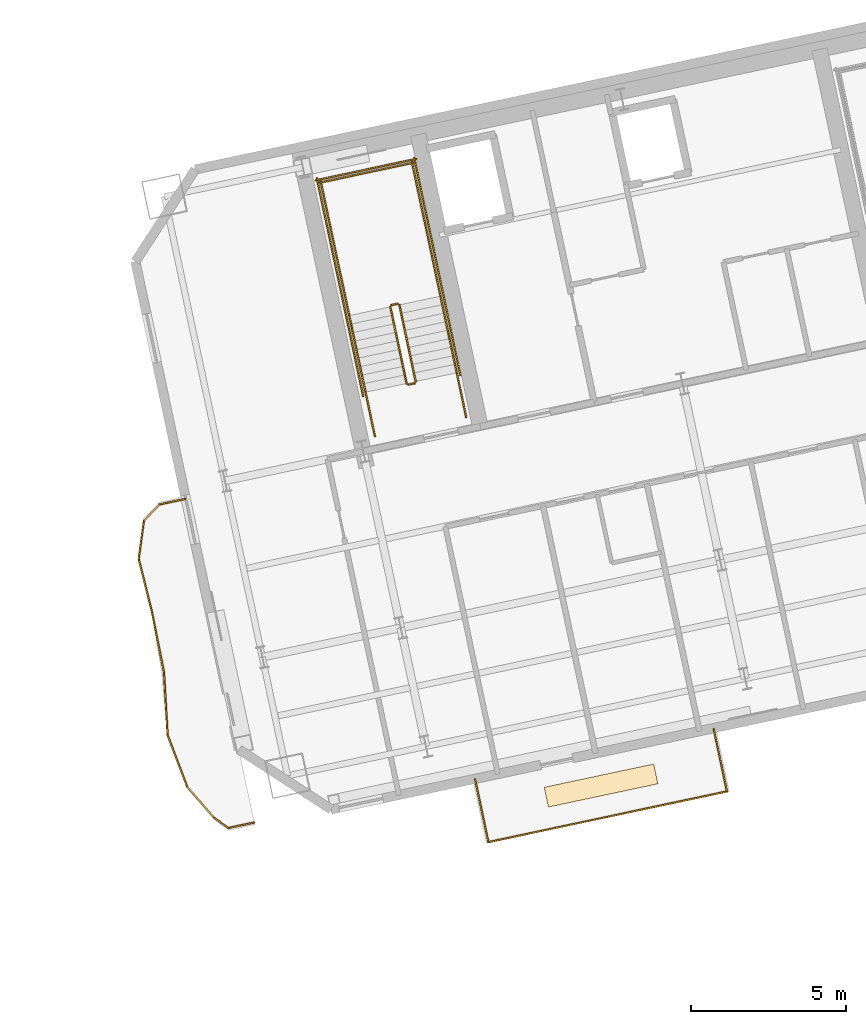
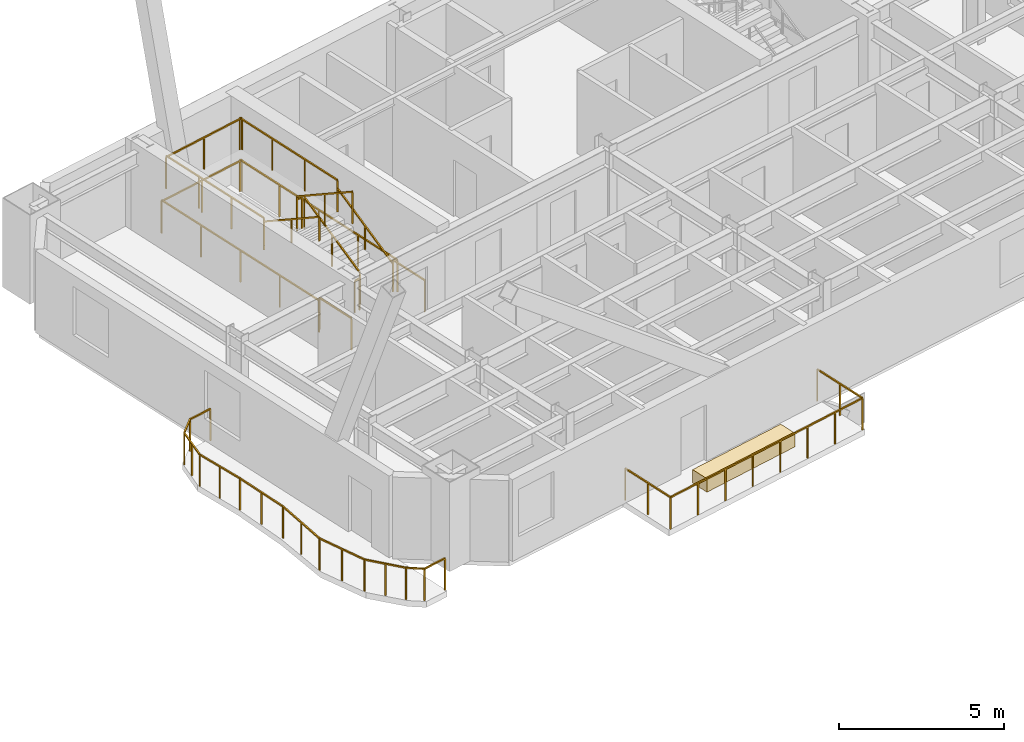
# One storey, part 12 of 13: 27 railings, 1 covering.
"""IFC4 building model written with IfcOpenShell, lengths in metres."""

import ifcopenshell
import ifcopenshell.guid

model = None  # the IFC model being written
_history = None  # IfcOwnerHistory: only IFC2X3 demands one
_inside = {}  # id of a spatial element -> (the spatial element, [elements in it])
_under = {}  # id of a project, library or spatial element -> (it, [spatial elements below it])
_declared = {}  # id of a project -> (the project, [libraries it declares])
_typed = {}  # id of a type object -> (the type object, [elements of that type])
_made_of = {}  # id of a material, layer set ... -> (it, [elements and type objects made of it])


def new_model(schema):
    """Start an empty IFC model of exactly this schema.

    Asked for "IFC4X3", IfcOpenShell would pick the latest addendum, in which some entities
    have other attributes; the version numbers below select the first issue.
    IFC2X3 requires an IfcOwnerHistory on every rooted entity: one is made here for all.
    """
    global model, _history
    if schema == "IFC4X3":
        model = ifcopenshell.file(schema_version=(4, 3, 0, 0))
    else:
        model = ifcopenshell.file(schema=schema)
    _inside.clear()
    _under.clear()
    _declared.clear()
    _typed.clear()
    _made_of.clear()
    _history = None
    if model.schema == "IFC2X3":
        org = make("IfcOrganization", Name="unknown")
        user = make(
            "IfcPersonAndOrganization",
            ThePerson=make("IfcPerson", FamilyName="unknown"),
            TheOrganization=org,
        )
        app = make(
            "IfcApplication",
            ApplicationDeveloper=org,
            Version="unknown",
            ApplicationFullName="unknown",
            ApplicationIdentifier="unknown",
        )
        _history = make(
            "IfcOwnerHistory",
            OwningUser=user,
            OwningApplication=app,
            ChangeAction="ADDED",
            CreationDate=0,
        )
    return model


def make(cls, **values):
    """One entity of the class cls with the attributes given. An attribute that is None is left unset."""
    return model.create_entity(
        cls, **{name: value for name, value in values.items() if value is not None}
    )


def rooted(cls, **values):
    """An entity with a GlobalId (a new one), such as an element, a storey or a relation."""
    return make(cls, GlobalId=ifcopenshell.guid.new(), OwnerHistory=_history, **values)


def si_unit(unit_type, name, prefix=None):
    """IfcSIUnit, for example si_unit("LENGTHUNIT", "METRE", prefix="MILLI")."""
    return make("IfcSIUnit", UnitType=unit_type, Prefix=prefix, Name=name)


def assignment(units):
    """IfcUnitAssignment: the units of a project."""
    return None if units is None else make("IfcUnitAssignment", Units=units)


def point(xyz):
    """IfcCartesianPoint."""
    return None if xyz is None else make("IfcCartesianPoint", Coordinates=xyz)


def direction(xyz):
    """IfcDirection."""
    return None if xyz is None else make("IfcDirection", DirectionRatios=xyz)


def frame(location, z_axis=None, x_axis=None):
    """IfcAxis2Placement3D, a coordinate frame: its origin and axes. An axis left out is left unset."""
    return make(
        "IfcAxis2Placement3D",
        Location=point(location),
        Axis=direction(z_axis),
        RefDirection=direction(x_axis),
    )


def frame_2d(location, x_axis=None):
    """IfcAxis2Placement2D, a coordinate frame in the plane: its origin and x axis."""
    return make(
        "IfcAxis2Placement2D", Location=point(location), RefDirection=direction(x_axis)
    )


def origin():
    """The frame at (0, 0, 0) with its axes left unset."""
    return frame((0.0, 0.0, 0.0))


def origin_2d():
    """The frame at (0, 0) in the plane with its x axis left unset."""
    return frame_2d((0.0, 0.0))


def place(relative_to, where):
    """IfcLocalPlacement: puts the frame where relative to a parent placement (None: the world)."""
    return make(
        "IfcLocalPlacement", PlacementRelTo=relative_to, RelativePlacement=where
    )


def context(
    kind, dimensions, precision=None, world=None, true_north=None, identifier=None
):
    """IfcGeometricRepresentationContext, for example the 3D "Model" context."""
    return make(
        "IfcGeometricRepresentationContext",
        ContextIdentifier=identifier,
        ContextType=kind,
        CoordinateSpaceDimension=dimensions,
        Precision=precision,
        WorldCoordinateSystem=world,
        TrueNorth=true_north,
    )


def subcontext(parent, identifier, kind, view, scale=None):
    """IfcGeometricRepresentationSubContext, for example "Body" below "Model"."""
    return make(
        "IfcGeometricRepresentationSubContext",
        ContextIdentifier=identifier,
        ContextType=kind,
        ParentContext=parent,
        TargetScale=scale,
        TargetView=view,
    )


def project(units=None, contexts=None):
    """IfcProject with its units and contexts."""
    return rooted(
        "IfcProject",
        Name="project",
        RepresentationContexts=contexts,
        UnitsInContext=assignment(units),
    )


def spatial(cls, under=None, at=None, **own):
    """A site, building, storey or space (cls), placed at a placement, below another one or the project."""
    s = rooted(cls, ObjectPlacement=at, **own)
    if under is not None:
        _under.setdefault(under.id(), (under, []))[1].append(s)
    return s


def profile(cls, at=None, kind="AREA", **sizes):
    """A parametric profile (cls). Its sizes go by their IFC names, for example OverallWidth=200.0."""
    return make(cls, ProfileType=kind, Position=at, **sizes)


def rectangle(**sizes):
    """IfcRectangleProfileDef."""
    return profile("IfcRectangleProfileDef", **sizes)


def extrude(swept, where, along, depth):
    """IfcExtrudedAreaSolid: the profile swept, set in the frame where, extruded along a direction by depth."""
    return make(
        "IfcExtrudedAreaSolid",
        SweptArea=swept,
        Position=where,
        ExtrudedDirection=direction(along),
        Depth=depth,
    )


def shape(context_of_items, identifier, shape_type, items):
    """IfcShapeRepresentation: the items that make up one representation, for example the "Body"."""
    return make(
        "IfcShapeRepresentation",
        ContextOfItems=context_of_items,
        RepresentationIdentifier=identifier,
        RepresentationType=shape_type,
        Items=items,
    )


def material(Name=None, Category=None):
    """IfcMaterial."""
    return make("IfcMaterial", Name=Name, Category=Category)


def layer(
    of_material, thickness, ventilated=None, Name=None, Category=None, Priority=None
):
    """IfcMaterialLayer: one layer of a wall or slab, of a material (None: an air gap)."""
    return make(
        "IfcMaterialLayer",
        Material=of_material,
        LayerThickness=thickness,
        IsVentilated=ventilated,
        Name=Name,
        Category=Category,
        Priority=Priority,
    )


def layer_set(layers, Name=None):
    """IfcMaterialLayerSet."""
    return make("IfcMaterialLayerSet", MaterialLayers=layers, LayerSetName=Name)


def made_of(thing, what):
    """Note that an element or type object is made of a material, layer set ...; save() writes the relation."""
    if what is not None:
        _made_of.setdefault(what.id(), (what, []))[1].append(thing)
    return thing


def type_object(cls, material=None, **own):
    """A type object (cls), such as IfcWallType, which elements share."""
    return made_of(rooted(cls, **own), material)


def element(
    cls,
    number,
    at=None,
    inside=None,
    cuts=None,
    type_object=None,
    material=None,
    context=None,
    identifier="Body",
    shape_type=None,
    held_by="IfcProductDefinitionShape",
    body=None,
    shapes=None,
    **own,
):
    """One element of the class cls, such as IfcWall. Its Tag is "e" and its number.

    at: its placement. inside: the storey or other place that contains it. cuts: it is an
    opening in that element (IfcRelVoidsElement). A single representation is given by context,
    identifier, shape_type and body (its items); several are given by shapes. held_by: the class
    of the entity that holds the representations. save() writes the other relations.
    """
    e = rooted(cls, Tag="e%d" % number, ObjectPlacement=at, **own)
    if body is not None:
        shapes = [shape(context, identifier, shape_type, body)]
    if shapes is not None:
        e.Representation = make(held_by, Representations=shapes)
    if inside is not None:
        _inside.setdefault(inside.id(), (inside, []))[1].append(e)
    if cuts is not None:
        rooted(
            "IfcRelVoidsElement", RelatingBuildingElement=cuts, RelatedOpeningElement=e
        )
    if type_object is not None:
        _typed.setdefault(type_object.id(), (type_object, []))[1].append(e)
    return made_of(e, material)


def aggregate(whole, parts):
    """IfcRelAggregates: a whole, such as a stair, and the parts it consists of."""
    return rooted("IfcRelAggregates", RelatingObject=whole, RelatedObjects=parts)


def save(model, path):
    """Write the relations noted so far, then the file.

    IfcRelAggregates (storeys below a building ...), IfcRelContainedInSpatialStructure (elements
    in a storey), IfcRelDefinesByType, IfcRelAssociatesMaterial and IfcRelDeclares: one each for
    every whole, place, type object, material and project.
    """
    for whole, parts in _under.values():
        aggregate(whole, parts)
    for where, things in _inside.values():
        rooted(
            "IfcRelContainedInSpatialStructure",
            RelatedElements=things,
            RelatingStructure=where,
        )
    for kind, things in _typed.values():
        rooted("IfcRelDefinesByType", RelatedObjects=things, RelatingType=kind)
    for what, things in _made_of.values():
        rooted("IfcRelAssociatesMaterial", RelatedObjects=things, RelatingMaterial=what)
    for by, libraries in _declared.values():
        rooted("IfcRelDeclares", RelatingContext=by, RelatedDefinitions=libraries)
    model.write(path)


model = new_model("IFC4")

# Units and contexts
model_context = context("Model", 3, precision=1e-05, world=origin(), true_north=direction((0.0, 1.0)))
body_context = subcontext(model_context, "Body", "Model", "MODEL_VIEW")
ifc_project = project(units=[si_unit("LENGTHUNIT", "METRE"), si_unit("AREAUNIT", "SQUARE_METRE"), si_unit("VOLUMEUNIT", "CUBIC_METRE"), si_unit("PLANEANGLEUNIT", "RADIAN"), si_unit("MASSUNIT", "GRAM", prefix="KILO")], contexts=[model_context])

# Site, building, storey
site_placement = place(None, origin())
site = spatial("IfcSite", under=ifc_project, at=site_placement, CompositionType="ELEMENT")
building_placement = place(site_placement, origin())
building = spatial("IfcBuilding", under=site, at=building_placement, Name="Haevon Station Towers", CompositionType="ELEMENT")
storey_placement = place(building_placement, frame((0.0, 0.0, 146.10009765625)))
storey = spatial("IfcBuildingStorey", under=building, at=storey_placement, Name="L39", CompositionType="ELEMENT", Elevation=146.10009765625)

# Railings
ifc_material_1 = material(Name="Steel S355", Category="steel")
railing_type_1 = type_object("IfcRailingType", Name="GRD-EXT1200", PredefinedType="GUARDRAIL", material=ifc_material_1)
railing_1_placement = place(storey_placement, frame((93.021240234375, 35.91455078125, 0.0)))
element("IfcRailing", 1, at=railing_1_placement, inside=storey, type_object=railing_type_1, Name="L39 Perimeter Guardrail 1", PredefinedType="GUARDRAIL", context=body_context, shape_type="SweptSolid", body=[
    extrude(rectangle(XDim=0.048095703125, YDim=0.048095703125, at=origin_2d()), frame((0.0, 0.0, 1.17578125), z_axis=(-0.977678572445, -0.210106185017, 0.0), x_axis=(0.210106185017, -0.977678572445, 0.0)), (0.0, 0.0, 1.0), 0.837890625),
    extrude(rectangle(XDim=0.0419921875, YDim=0.0419921875, at=origin_2d()), origin(), (0.0, 0.0, 1.0), 1.15185546875),
    extrude(rectangle(XDim=0.0419921875, YDim=0.0419921875, at=origin_2d()), frame((-0.819091796875, -0.176025390625, 0.0)), (0.0, 0.0, 1.0), 1.15185546875),
])
railing_2_placement = place(storey_placement, frame((92.2021484375, 35.738525390625, 0.0)))
element("IfcRailing", 2, at=railing_2_placement, inside=storey, type_object=railing_type_1, Name="L39 Perimeter Guardrail 2", PredefinedType="GUARDRAIL", context=body_context, shape_type="SweptSolid", body=[
    extrude(rectangle(XDim=0.048095703125, YDim=0.048095703125, at=origin_2d()), frame((0.0, 0.0, 1.17578125), z_axis=(-0.691571499126, -0.722308010198, 0.0), x_axis=(0.722308010198, -0.691571499126, 0.0)), (0.0, 0.0, 1.0), 0.730712890625),
    extrude(rectangle(XDim=0.0419921875, YDim=0.0419921875, at=origin_2d()), origin(), (0.0, 0.0, 1.0), 1.15185546875),
    extrude(rectangle(XDim=0.0419921875, YDim=0.0419921875, at=origin_2d()), frame((-0.50537109375, -0.52783203125, 0.0)), (0.0, 0.0, 1.0), 1.15185546875),
])
railing_3_placement = place(storey_placement, frame((91.69677734375, 35.210693359375, 0.0)))
element("IfcRailing", 3, at=railing_3_placement, inside=storey, type_object=railing_type_1, Name="L39 Perimeter Guardrail 3", PredefinedType="GUARDRAIL", context=body_context, shape_type="SweptSolid", body=[
    extrude(rectangle(XDim=0.048095703125, YDim=0.048095703125, at=origin_2d()), frame((0.0, 0.0, 1.17578125), z_axis=(-0.134402916538, -0.990926766228, 0.0), x_axis=(0.990926766228, -0.134402916538, 0.0)), (0.0, 0.0, 1.0), 1.242431640625),
    extrude(rectangle(XDim=0.0419921875, YDim=0.0419921875, at=origin_2d()), origin(), (0.0, 0.0, 1.0), 1.15185546875),
    extrude(rectangle(XDim=0.0419921875, YDim=0.0419921875, at=origin_2d()), frame((-0.08349609375, -0.61572265625, 0.0)), (0.0, 0.0, 1.0), 1.15185546875),
    extrude(rectangle(XDim=0.0419921875, YDim=0.0419921875, at=origin_2d()), frame((-0.1669921875, -1.231201171875, 0.0)), (0.0, 0.0, 1.0), 1.15185546875),
])
railing_4_placement = place(storey_placement, frame((91.52978515625, 33.9794921875, 0.0)))
element("IfcRailing", 4, at=railing_4_placement, inside=storey, type_object=railing_type_1, Name="L39 Perimeter Guardrail 4", PredefinedType="GUARDRAIL", context=body_context, shape_type="SweptSolid", body=[
    extrude(rectangle(XDim=0.048095703125, YDim=0.048095703125, at=origin_2d()), frame((0.0, 0.0, 1.17578125), z_axis=(0.243814635362, -0.969821851467, 0.0), x_axis=(0.969821851467, 0.243814635362, 0.0)), (0.0, 0.0, 1.0), 1.751220703125),
    extrude(rectangle(XDim=0.0419921875, YDim=0.0419921875, at=origin_2d()), origin(), (0.0, 0.0, 1.0), 1.15185546875),
    extrude(rectangle(XDim=0.0419921875, YDim=0.0419921875, at=origin_2d()), frame((0.21337890625, -0.84912109375, 0.0)), (0.0, 0.0, 1.0), 1.15185546875),
    extrude(rectangle(XDim=0.0419921875, YDim=0.0419921875, at=origin_2d()), frame((0.427001953125, -1.698486328125, 0.0)), (0.0, 0.0, 1.0), 1.15185546875),
])
railing_5_placement = place(storey_placement, frame((91.956787109375, 32.281005859375, 0.0)))
element("IfcRailing", 5, at=railing_5_placement, inside=storey, type_object=railing_type_1, Name="L39 Perimeter Guardrail 5", PredefinedType="GUARDRAIL", context=body_context, shape_type="SweptSolid", body=[
    extrude(rectangle(XDim=0.048095703125, YDim=0.048095703125, at=origin_2d()), frame((0.0, 0.0, 1.17578125), z_axis=(0.195360913035, -0.980731417697, 0.0), x_axis=(0.980731417697, 0.195360913035, 0.0)), (0.0, 0.0, 1.0), 1.989501953125),
    extrude(rectangle(XDim=0.0419921875, YDim=0.0419921875, at=origin_2d()), origin(), (0.0, 0.0, 1.0), 1.15185546875),
    extrude(rectangle(XDim=0.0419921875, YDim=0.0419921875, at=origin_2d()), frame((0.1943359375, -0.9755859375, 0.0)), (0.0, 0.0, 1.0), 1.15185546875),
    extrude(rectangle(XDim=0.0419921875, YDim=0.0419921875, at=origin_2d()), frame((0.388671875, -1.951171875, 0.0)), (0.0, 0.0, 1.0), 1.15185546875),
])
railing_6_placement = place(storey_placement, frame((92.345458984375, 30.329833984375, 0.0)))
element("IfcRailing", 6, at=railing_6_placement, inside=storey, type_object=railing_type_1, Name="L39 Perimeter Guardrail 6", PredefinedType="GUARDRAIL", context=body_context, shape_type="SweptSolid", body=[
    extrude(rectangle(XDim=0.048095703125, YDim=0.048095703125, at=origin_2d()), frame((0.0, 0.0, 1.17578125), z_axis=(0.056904973514, -0.998379599145, 0.0), x_axis=(0.998379599145, 0.056904973514, 0.0)), (0.0, 0.0, 1.0), 2.016357421875),
    extrude(rectangle(XDim=0.0419921875, YDim=0.0419921875, at=origin_2d()), origin(), (0.0, 0.0, 1.0), 1.15185546875),
    extrude(rectangle(XDim=0.0419921875, YDim=0.0419921875, at=origin_2d()), frame((0.057373046875, -1.006591796875, 0.0)), (0.0, 0.0, 1.0), 1.15185546875),
    extrude(rectangle(XDim=0.0419921875, YDim=0.0419921875, at=origin_2d()), frame((0.11474609375, -2.01318359375, 0.0)), (0.0, 0.0, 1.0), 1.15185546875),
])
railing_7_placement = place(storey_placement, frame((92.460205078125, 28.316650390625, 0.0)))
element("IfcRailing", 7, at=railing_7_placement, inside=storey, type_object=railing_type_1, Name="L39 Perimeter Guardrail 7", PredefinedType="GUARDRAIL", context=body_context, shape_type="SweptSolid", body=[
    extrude(rectangle(XDim=0.048095703125, YDim=0.048095703125, at=origin_2d()), frame((0.0, 0.0, 1.17578125), z_axis=(0.353500001833, -0.935434524007, 0.0), x_axis=(0.935434524007, 0.353500001833, 0.0)), (0.0, 0.0, 1.0), 1.7666015625),
    extrude(rectangle(XDim=0.0419921875, YDim=0.0419921875, at=origin_2d()), origin(), (0.0, 0.0, 1.0), 1.15185546875),
    extrude(rectangle(XDim=0.0419921875, YDim=0.0419921875, at=origin_2d()), frame((0.312255859375, -0.826171875, 0.0)), (0.0, 0.0, 1.0), 1.15185546875),
    extrude(rectangle(XDim=0.0419921875, YDim=0.0419921875, at=origin_2d()), frame((0.62451171875, -1.652587890625, 0.0)), (0.0, 0.0, 1.0), 1.15185546875),
])
railing_8_placement = place(storey_placement, frame((93.084716796875, 26.6640625, 0.0)))
element("IfcRailing", 8, at=railing_8_placement, inside=storey, type_object=railing_type_1, Name="L39 Perimeter Guardrail 8", PredefinedType="GUARDRAIL", context=body_context, shape_type="SweptSolid", body=[
    extrude(rectangle(XDim=0.048095703125, YDim=0.048095703125, at=origin_2d()), frame((0.0, 0.0, 1.17578125), z_axis=(0.654965324593, -0.755658933369, 0.0), x_axis=(0.755658933369, 0.654965324593, 0.0)), (0.0, 0.0, 1.0), 1.3359375),
    extrude(rectangle(XDim=0.0419921875, YDim=0.0419921875, at=origin_2d()), origin(), (0.0, 0.0, 1.0), 1.15185546875),
    extrude(rectangle(XDim=0.0419921875, YDim=0.0419921875, at=origin_2d()), frame((0.4375, -0.5048828125, 0.0)), (0.0, 0.0, 1.0), 1.15185546875),
    extrude(rectangle(XDim=0.0419921875, YDim=0.0419921875, at=origin_2d()), frame((0.875, -1.009521484375, 0.0)), (0.0, 0.0, 1.0), 1.15185546875),
])
railing_9_placement = place(storey_placement, frame((93.959716796875, 25.654541015625, 0.0)))
element("IfcRailing", 9, at=railing_9_placement, inside=storey, type_object=railing_type_1, Name="L39 Perimeter Guardrail 9", PredefinedType="GUARDRAIL", context=body_context, shape_type="SweptSolid", body=[
    extrude(rectangle(XDim=0.048095703125, YDim=0.048095703125, at=origin_2d()), frame((0.0, 0.0, 1.17578125), z_axis=(0.814353577604, -0.580369064168, 0.0), x_axis=(0.580369064168, 0.814353577604, 0.0)), (0.0, 0.0, 1.0), 0.55810546875),
    extrude(rectangle(XDim=0.0419921875, YDim=0.0419921875, at=origin_2d()), origin(), (0.0, 0.0, 1.0), 1.15185546875),
    extrude(rectangle(XDim=0.0419921875, YDim=0.0419921875, at=origin_2d()), frame((0.45458984375, -0.323974609375, 0.0)), (0.0, 0.0, 1.0), 1.15185546875),
])
railing_10_placement = place(storey_placement, frame((94.414306640625, 25.33056640625, 0.0)))
element("IfcRailing", 10, at=railing_10_placement, inside=storey, type_object=railing_type_1, Name="L39 Perimeter Guardrail 10", PredefinedType="GUARDRAIL", context=body_context, shape_type="SweptSolid", body=[
    extrude(rectangle(XDim=0.048095703125, YDim=0.048095703125, at=origin_2d()), frame((0.0, 0.0, 1.17578125), z_axis=(0.978617737227, 0.20568744343, 0.0), x_axis=(-0.20568744343, 0.978617737227, 0.0)), (0.0, 0.0, 1.0), 0.837890625),
    extrude(rectangle(XDim=0.0419921875, YDim=0.0419921875, at=origin_2d()), origin(), (0.0, 0.0, 1.0), 1.15185546875),
    extrude(rectangle(XDim=0.0419921875, YDim=0.0419921875, at=origin_2d()), frame((0.820068359375, 0.17236328125, 0.0)), (0.0, 0.0, 1.0), 1.15185546875),
])
railing_11_placement = place(storey_placement, frame((102.780517578125, 24.87548828125, 0.0)))
element("IfcRailing", 11, at=railing_11_placement, inside=storey, type_object=railing_type_1, Name="L39 Perimeter Guardrail 1", PredefinedType="GUARDRAIL", context=body_context, shape_type="SweptSolid", body=[
    extrude(rectangle(XDim=0.048095703125, YDim=0.048095703125, at=origin_2d()), frame((0.0, 0.0, 1.17578125), z_axis=(0.978148093399, 0.207909372996, 0.0), x_axis=(-0.207909372996, 0.978148093399, 0.0)), (0.0, 0.0, 1.0), 7.84521484375),
    extrude(rectangle(XDim=0.0419921875, YDim=0.0419921875, at=origin_2d()), origin(), (0.0, 0.0, 1.0), 1.15185546875),
    extrude(rectangle(XDim=0.0419921875, YDim=0.0419921875, at=origin_2d()), frame((1.09619140625, 0.23291015625, 0.0)), (0.0, 0.0, 1.0), 1.15185546875),
    extrude(rectangle(XDim=0.0419921875, YDim=0.0419921875, at=origin_2d()), frame((2.192626953125, 0.466064453125, 0.0)), (0.0, 0.0, 1.0), 1.15185546875),
    extrude(rectangle(XDim=0.0419921875, YDim=0.0419921875, at=origin_2d()), frame((3.288818359375, 0.698974609375, 0.0)), (0.0, 0.0, 1.0), 1.15185546875),
    extrude(rectangle(XDim=0.0419921875, YDim=0.0419921875, at=origin_2d()), frame((4.385009765625, 0.93212890625, 0.0)), (0.0, 0.0, 1.0), 1.15185546875),
    extrude(rectangle(XDim=0.0419921875, YDim=0.0419921875, at=origin_2d()), frame((5.481201171875, 1.1650390625, 0.0)), (0.0, 0.0, 1.0), 1.15185546875),
    extrude(rectangle(XDim=0.0419921875, YDim=0.0419921875, at=origin_2d()), frame((6.57763671875, 1.398193359375, 0.0)), (0.0, 0.0, 1.0), 1.15185546875),
    extrude(rectangle(XDim=0.0419921875, YDim=0.0419921875, at=origin_2d()), frame((7.673828125, 1.631103515625, 0.0)), (0.0, 0.0, 1.0), 1.15185546875),
])
railing_12_placement = place(storey_placement, frame((110.454345703125, 26.506591796875, 0.0)))
element("IfcRailing", 12, at=railing_12_placement, inside=storey, type_object=railing_type_1, Name="L39 Perimeter Guardrail 2", PredefinedType="GUARDRAIL", context=body_context, shape_type="SweptSolid", body=[
    extrude(rectangle(XDim=0.048095703125, YDim=0.048095703125, at=origin_2d()), frame((0.0, 0.0, 1.17578125), z_axis=(-0.207938336855, 0.978141936564, 0.0), x_axis=(-0.978141936564, -0.207938336855, 0.0)), (0.0, 0.0, 1.0), 2.0546875),
    extrude(rectangle(XDim=0.0419921875, YDim=0.0419921875, at=origin_2d()), origin(), (0.0, 0.0, 1.0), 1.15185546875),
    extrude(rectangle(XDim=0.0419921875, YDim=0.0419921875, at=origin_2d()), frame((-0.213623046875, 1.0048828125, 0.0)), (0.0, 0.0, 1.0), 1.15185546875),
    extrude(rectangle(XDim=0.0419921875, YDim=0.0419921875, at=origin_2d()), frame((-0.42724609375, 2.009765625, 0.0)), (0.0, 0.0, 1.0), 1.15185546875),
])
railing_13_placement = place(storey_placement, frame((102.353515625, 26.88525390625, 0.0)))
element("IfcRailing", 13, at=railing_13_placement, inside=storey, type_object=railing_type_1, Name="L39 Perimeter Guardrail 3", PredefinedType="GUARDRAIL", context=body_context, shape_type="SweptSolid", body=[
    extrude(rectangle(XDim=0.048095703125, YDim=0.048095703125, at=origin_2d()), frame((0.0, 0.0, 1.17578125), z_axis=(0.207824648399, -0.978166098123, 0.0), x_axis=(0.978166098123, 0.207824648399, 0.0)), (0.0, 0.0, 1.0), 2.0546875),
    extrude(rectangle(XDim=0.0419921875, YDim=0.0419921875, at=origin_2d()), origin(), (0.0, 0.0, 1.0), 1.15185546875),
    extrude(rectangle(XDim=0.0419921875, YDim=0.0419921875, at=origin_2d()), frame((0.21337890625, -1.0048828125, 0.0)), (0.0, 0.0, 1.0), 1.15185546875),
    extrude(rectangle(XDim=0.0419921875, YDim=0.0419921875, at=origin_2d()), frame((0.427001953125, -2.009765625, 0.0)), (0.0, 0.0, 1.0), 1.15185546875),
])
railing_type_2 = type_object("IfcRailingType", Name="GRD-STR1200", PredefinedType="GUARDRAIL", material=ifc_material_1)
railing_14_placement = place(storey_placement, frame((100.44140625, 39.69287109375, 0.164794921875)))
element("IfcRailing", 14, at=railing_14_placement, inside=storey, type_object=railing_type_2, Name="L39 ST3 Stair Guard 1", PredefinedType="GUARDRAIL", context=body_context, shape_type="SweptSolid", body=[
    extrude(rectangle(XDim=0.048095703125, YDim=0.048095703125, at=origin_2d()), frame((0.0, 0.0, 1.17578125), z_axis=(-0.179121265225, 0.842687928106, 0.507732831485), x_axis=(-0.978147030254, -0.207914374695, 0.0)), (0.0, 0.0, 1.0), 2.925048828125),
    extrude(rectangle(XDim=0.0419921875, YDim=0.0419921875, at=origin_2d()), origin(), (0.0, 0.0, 1.0), 1.15185546875),
    extrude(rectangle(XDim=0.0419921875, YDim=0.0419921875, at=origin_2d()), frame((-0.261962890625, 1.232421875, 0.74267578125)), (0.0, 0.0, 1.0), 1.15185546875),
    extrude(rectangle(XDim=0.0419921875, YDim=0.0419921875, at=origin_2d()), frame((-0.52392578125, 2.46484375, 1.485107421875)), (0.0, 0.0, 1.0), 1.15185546875),
])
railing_15_placement = place(storey_placement, frame((99.858154296875, 42.1962890625, 1.64990234375)))
element("IfcRailing", 15, at=railing_15_placement, inside=storey, type_object=railing_type_2, Name="L39 ST3 Stair Guard 2", PredefinedType="GUARDRAIL", context=body_context, shape_type="SweptSolid", body=[
    extrude(rectangle(XDim=0.048095703125, YDim=0.048095703125, at=origin_2d()), frame((0.0, 0.0, 1.17578125), z_axis=(-0.977962931203, -0.208778603291, 0.0), x_axis=(0.208778603291, -0.977962931203, 0.0)), (0.0, 0.0, 1.0), 0.199951171875),
    extrude(rectangle(XDim=0.0419921875, YDim=0.0419921875, at=origin_2d()), origin(), (0.0, 0.0, 1.0), 1.15185546875),
    extrude(rectangle(XDim=0.0419921875, YDim=0.0419921875, at=origin_2d()), frame((-0.195556640625, -0.041748046875, 0.0)), (0.0, 0.0, 1.0), 1.15185546875),
])
railing_16_placement = place(storey_placement, frame((101.238037109375, 42.4384765625, 1.64990234375)))
element("IfcRailing", 16, at=railing_16_placement, inside=storey, type_object=railing_type_2, Name="L39 ST3 Stair Guard 3", PredefinedType="GUARDRAIL", context=body_context, shape_type="SweptSolid", body=[
    extrude(rectangle(XDim=0.048095703125, YDim=0.048095703125, at=origin_2d()), frame((0.0, 0.0, 1.17578125), z_axis=(-0.20794048909, 0.978141479029, 0.0), x_axis=(-0.978141479029, -0.20794048909, 0.0)), (0.0, 0.0, 1.0), 4.429931640625),
    extrude(rectangle(XDim=0.0419921875, YDim=0.0419921875, at=origin_2d()), origin(), (0.0, 0.0, 1.0), 1.15185546875),
    extrude(rectangle(XDim=0.0419921875, YDim=0.0419921875, at=origin_2d()), frame((-0.30712890625, 1.4443359375, 0.0)), (0.0, 0.0, 1.0), 1.15185546875),
    extrude(rectangle(XDim=0.0419921875, YDim=0.0419921875, at=origin_2d()), frame((-0.614013671875, 2.888671875, 0.0)), (0.0, 0.0, 1.0), 1.15185546875),
    extrude(rectangle(XDim=0.0419921875, YDim=0.0419921875, at=origin_2d()), frame((-0.921142578125, 4.3330078125, 0.0)), (0.0, 0.0, 1.0), 1.15185546875),
])
railing_17_placement = place(storey_placement, frame((98.303466796875, 41.814697265625, 1.64990234375)))
element("IfcRailing", 17, at=railing_17_placement, inside=storey, type_object=railing_type_2, Name="L39 ST3 Stair Guard 4", PredefinedType="GUARDRAIL", context=body_context, shape_type="SweptSolid", body=[
    extrude(rectangle(XDim=0.048095703125, YDim=0.048095703125, at=origin_2d()), frame((0.0, 0.0, 1.17578125), z_axis=(-0.207876551949, 0.978155069071, 0.0), x_axis=(-0.978155069071, -0.207876551949, 0.0)), (0.0, 0.0, 1.0), 4.429931640625),
    extrude(rectangle(XDim=0.0419921875, YDim=0.0419921875, at=origin_2d()), origin(), (0.0, 0.0, 1.0), 1.15185546875),
    extrude(rectangle(XDim=0.0419921875, YDim=0.0419921875, at=origin_2d()), frame((-0.306884765625, 1.4443359375, 0.0)), (0.0, 0.0, 1.0), 1.15185546875),
    extrude(rectangle(XDim=0.0419921875, YDim=0.0419921875, at=origin_2d()), frame((-0.614013671875, 2.888916015625, 0.0)), (0.0, 0.0, 1.0), 1.15185546875),
    extrude(rectangle(XDim=0.0419921875, YDim=0.0419921875, at=origin_2d()), frame((-0.9208984375, 4.333251953125, 0.0)), (0.0, 0.0, 1.0), 1.15185546875),
])
railing_18_placement = place(storey_placement, frame((100.376220703125, 46.733154296875, 1.64990234375)))
element("IfcRailing", 18, at=railing_18_placement, inside=storey, type_object=railing_type_2, Name="L39 ST3 Stair Guard 5", PredefinedType="GUARDRAIL", context=body_context, shape_type="SweptSolid", body=[
    extrude(rectangle(XDim=0.048095703125, YDim=0.048095703125, at=origin_2d()), frame((0.0, 0.0, 1.17578125), z_axis=(-0.978146839882, -0.207915270313, 0.0), x_axis=(0.207915270313, -0.978146839882, 0.0)), (0.0, 0.0, 1.0), 3.099853515625),
    extrude(rectangle(XDim=0.0419921875, YDim=0.0419921875, at=origin_2d()), origin(), (0.0, 0.0, 1.0), 1.15185546875),
    extrude(rectangle(XDim=0.0419921875, YDim=0.0419921875, at=origin_2d()), frame((-1.51611328125, -0.322265625, 0.0)), (0.0, 0.0, 1.0), 1.15185546875),
    extrude(rectangle(XDim=0.0419921875, YDim=0.0419921875, at=origin_2d()), frame((-3.0322265625, -0.64453125, 0.0)), (0.0, 0.0, 1.0), 1.15185546875),
])
railing_19_placement = place(storey_placement, frame((99.6240234375, 42.09521484375, 1.81494140625)))
element("IfcRailing", 19, at=railing_19_placement, inside=storey, type_object=railing_type_2, Name="L39 ST3 Stair Guard 6", PredefinedType="GUARDRAIL", context=body_context, shape_type="SweptSolid", body=[
    extrude(rectangle(XDim=0.048095703125, YDim=0.048095703125, at=origin_2d()), frame((0.0, 0.0, 1.17578125), z_axis=(0.179128856099, -0.842723639875, 0.507670877349), x_axis=(0.978147030254, 0.207914374695, 0.0)), (0.0, 0.0, 1.0), 2.9248046875),
    extrude(rectangle(XDim=0.0419921875, YDim=0.0419921875, at=origin_2d()), origin(), (0.0, 0.0, 1.0), 1.15185546875),
    extrude(rectangle(XDim=0.0419921875, YDim=0.0419921875, at=origin_2d()), frame((0.261962890625, -1.232421875, 0.742431640625)), (0.0, 0.0, 1.0), 1.15185546875),
    extrude(rectangle(XDim=0.0419921875, YDim=0.0419921875, at=origin_2d()), frame((0.52392578125, -2.46484375, 1.48486328125)), (0.0, 0.0, 1.0), 1.15185546875),
])
railing_20_placement = place(storey_placement, frame((100.40283203125, 39.633544921875, 0.0)))
element("IfcRailing", 20, at=railing_20_placement, inside=storey, type_object=railing_type_2, Name="L39 ST3 Stair Guard 7", PredefinedType="GUARDRAIL", context=body_context, shape_type="SweptSolid", body=[
    extrude(rectangle(XDim=0.048095703125, YDim=0.048095703125, at=origin_2d()), frame((0.0, 0.0, 1.17578125), z_axis=(-0.977962931203, -0.208778603291, 0.0), x_axis=(0.208778603291, -0.977962931203, 0.0)), (0.0, 0.0, 1.0), 0.199951171875),
    extrude(rectangle(XDim=0.0419921875, YDim=0.0419921875, at=origin_2d()), origin(), (0.0, 0.0, 1.0), 1.15185546875),
    extrude(rectangle(XDim=0.0419921875, YDim=0.0419921875, at=origin_2d()), frame((-0.195556640625, -0.041748046875, 0.0)), (0.0, 0.0, 1.0), 1.15185546875),
])
for number, where, name in (
    (21, (102.0634765625, 38.55517578125, 0.0), "L39 ST3 Stair Guard 8"),
    (22, (99.12890625, 37.931396484375, 0.0), "L39 ST3 Stair Guard 9"),
):
    element("IfcRailing", number, at=place(storey_placement, frame(where)), inside=storey, type_object=railing_type_2, Name=name, PredefinedType="GUARDRAIL", context=body_context, shape_type="SweptSolid", body=[
        extrude(rectangle(XDim=0.048095703125, YDim=0.048095703125, at=origin_2d()), frame((0.0, 0.0, 1.17578125), z_axis=(-0.207953405961, 0.978138732977, 0.0), x_axis=(-0.978138732977, -0.207953405961, 0.0)), (0.0, 0.0, 1.0), 1.449951171875),
        extrude(rectangle(XDim=0.0419921875, YDim=0.0419921875, at=origin_2d()), origin(), (0.0, 0.0, 1.0), 1.15185546875),
        extrude(rectangle(XDim=0.0419921875, YDim=0.0419921875, at=origin_2d()), frame((-0.301513671875, 1.418212890625, 0.0)), (0.0, 0.0, 1.0), 1.15185546875),
    ])
railing_21_placement = place(storey_placement, frame((101.88037109375, 39.896484375, 0.0)))
element("IfcRailing", 23, at=railing_21_placement, inside=storey, type_object=railing_type_2, Name="L39 ST3 Stair Guard 10", PredefinedType="GUARDRAIL", context=body_context, shape_type="SweptSolid", body=[
    extrude(rectangle(XDim=0.048095703125, YDim=0.048095703125, at=origin_2d()), frame((0.0, 0.0, 1.17578125), z_axis=(-0.207882442208, 0.978153817261, 0.0), x_axis=(-0.978153817261, -0.207882442208, 0.0)), (0.0, 0.0, 1.0), 7.14990234375),
    extrude(rectangle(XDim=0.0419921875, YDim=0.0419921875, at=origin_2d()), origin(), (0.0, 0.0, 1.0), 1.15185546875),
    extrude(rectangle(XDim=0.0419921875, YDim=0.0419921875, at=origin_2d()), frame((-0.37158203125, 1.74853515625, 0.0)), (0.0, 0.0, 1.0), 1.15185546875),
    extrude(rectangle(XDim=0.0419921875, YDim=0.0419921875, at=origin_2d()), frame((-0.7431640625, 3.496826171875, 0.0)), (0.0, 0.0, 1.0), 1.15185546875),
    extrude(rectangle(XDim=0.0419921875, YDim=0.0419921875, at=origin_2d()), frame((-1.11474609375, 5.2451171875, 0.0)), (0.0, 0.0, 1.0), 1.15185546875),
    extrude(rectangle(XDim=0.0419921875, YDim=0.0419921875, at=origin_2d()), frame((-1.486328125, 6.99365234375, 0.0)), (0.0, 0.0, 1.0), 1.15185546875),
])
railing_22_placement = place(storey_placement, frame((98.75048828125, 39.231201171875, 0.0)))
element("IfcRailing", 24, at=railing_22_placement, inside=storey, type_object=railing_type_2, Name="L39 ST3 Stair Guard 11", PredefinedType="GUARDRAIL", context=body_context, shape_type="SweptSolid", body=[
    extrude(rectangle(XDim=0.048095703125, YDim=0.048095703125, at=origin_2d()), frame((0.0, 0.0, 1.17578125), z_axis=(-0.207915112487, 0.978146873429, 0.0), x_axis=(-0.978146873429, -0.207915112487, 0.0)), (0.0, 0.0, 1.0), 7.14990234375),
    extrude(rectangle(XDim=0.0419921875, YDim=0.0419921875, at=origin_2d()), origin(), (0.0, 0.0, 1.0), 1.15185546875),
    extrude(rectangle(XDim=0.0419921875, YDim=0.0419921875, at=origin_2d()), frame((-0.37158203125, 1.74853515625, 0.0)), (0.0, 0.0, 1.0), 1.15185546875),
    extrude(rectangle(XDim=0.0419921875, YDim=0.0419921875, at=origin_2d()), frame((-0.7431640625, 3.496826171875, 0.0)), (0.0, 0.0, 1.0), 1.15185546875),
    extrude(rectangle(XDim=0.0419921875, YDim=0.0419921875, at=origin_2d()), frame((-1.114990234375, 5.2451171875, 0.0)), (0.0, 0.0, 1.0), 1.15185546875),
    extrude(rectangle(XDim=0.0419921875, YDim=0.0419921875, at=origin_2d()), frame((-1.486572265625, 6.99365234375, 0.0)), (0.0, 0.0, 1.0), 1.15185546875),
])
railing_23_placement = place(storey_placement, frame((100.453125, 46.8515625, 0.0)))
element("IfcRailing", 25, at=railing_23_placement, inside=storey, type_object=railing_type_2, Name="L39 ST3 Stair Guard 12", PredefinedType="GUARDRAIL", context=body_context, shape_type="SweptSolid", body=[
    extrude(rectangle(XDim=0.048095703125, YDim=0.048095703125, at=origin_2d()), frame((0.0, 0.0, 1.17578125), z_axis=(-0.978150764849, -0.207896804268, 0.0), x_axis=(0.207896804268, -0.978150764849, 0.0)), (0.0, 0.0, 1.0), 3.2998046875),
    extrude(rectangle(XDim=0.0419921875, YDim=0.0419921875, at=origin_2d()), origin(), (0.0, 0.0, 1.0), 1.15185546875),
    extrude(rectangle(XDim=0.0419921875, YDim=0.0419921875, at=origin_2d()), frame((-1.61376953125, -0.343017578125, 0.0)), (0.0, 0.0, 1.0), 1.15185546875),
    extrude(rectangle(XDim=0.0419921875, YDim=0.0419921875, at=origin_2d()), frame((-3.227783203125, -0.68603515625, 0.0)), (0.0, 0.0, 1.0), 1.15185546875),
])
railing_type_3 = type_object("IfcRailingType", Name="HND-STR900", PredefinedType="HANDRAIL", material=ifc_material_1)
railing_24_placement = place(storey_placement, frame((101.761962890625, 39.973388671875, 0.164794921875)))
element("IfcRailing", 26, at=railing_24_placement, inside=storey, type_object=railing_type_3, Name="L39 ST3 Stair Handrail 1", PredefinedType="HANDRAIL", context=body_context, shape_type="SweptSolid", body=[
    extrude(rectangle(XDim=0.048095703125, YDim=0.048095703125, at=origin_2d()), frame((0.0, 0.0, 0.8759765625), z_axis=(-0.179108667068, 0.842712120868, 0.50769712105), x_axis=(-0.978151217824, -0.207894673017, 0.0)), (0.0, 0.0, 1.0), 2.92529296875),
    extrude(rectangle(XDim=0.0419921875, YDim=0.0419921875, at=origin_2d()), origin(), (0.0, 0.0, 1.0), 0.851806640625),
    extrude(rectangle(XDim=0.0419921875, YDim=0.0419921875, at=origin_2d()), frame((-0.261962890625, 1.232421875, 0.74267578125)), (0.0, 0.0, 1.0), 0.851806640625),
    extrude(rectangle(XDim=0.0419921875, YDim=0.0419921875, at=origin_2d()), frame((-0.52392578125, 2.465087890625, 1.485107421875)), (0.0, 0.0, 1.0), 0.851806640625),
])
railing_25_placement = place(storey_placement, frame((98.303466796875, 41.814697265625, 1.81494140625)))
element("IfcRailing", 27, at=railing_25_placement, inside=storey, type_object=railing_type_3, Name="L39 ST3 Stair Handrail 2", PredefinedType="HANDRAIL", context=body_context, shape_type="SweptSolid", body=[
    extrude(rectangle(XDim=0.048095703125, YDim=0.048095703125, at=origin_2d()), frame((0.0, 0.0, 0.8759765625), z_axis=(0.179116256339, -0.842747828638, 0.507635168246), x_axis=(0.978151217824, 0.207894673017, 0.0)), (0.0, 0.0, 1.0), 2.925048828125),
    extrude(rectangle(XDim=0.0419921875, YDim=0.0419921875, at=origin_2d()), origin(), (0.0, 0.0, 1.0), 0.851806640625),
    extrude(rectangle(XDim=0.0419921875, YDim=0.0419921875, at=origin_2d()), frame((0.261962890625, -1.232421875, 0.742431640625)), (0.0, 0.0, 1.0), 0.851806640625),
    extrude(rectangle(XDim=0.0419921875, YDim=0.0419921875, at=origin_2d()), frame((0.52392578125, -2.465087890625, 1.48486328125)), (0.0, 0.0, 1.0), 0.851806640625),
])

# Covering
ifc_material_2 = material(Name="Architectural planter GRC", Category="concrete")
ifc_layer = layer(ifc_material_2, 0.550048828125)
ifc_layer_set = layer_set([ifc_layer], Name="Architectural planter GRC")
covering_type = type_object("IfcCoveringType", Name="PLN-GRC550", PredefinedType="MOLDING", material=ifc_layer_set)
covering_placement = place(storey_placement, frame((106.40380859375, 26.69580078125, 0.0), z_axis=(0.0, 0.0, 1.0), x_axis=(0.978147600734, 0.207911690818, 0.0)))
element("IfcCovering", 28, at=covering_placement, inside=storey, type_object=covering_type, Name="Tower 2 L39 Facade Trough PLANTER", PredefinedType="MOLDING", context=body_context, shape_type="SweptSolid", body=[
    extrude(rectangle(XDim=3.60009765625, YDim=0.64990234375, at=origin_2d()), origin(), (0.0, 0.0, 1.0), 0.5),
])

save(model, "model.ifc")
